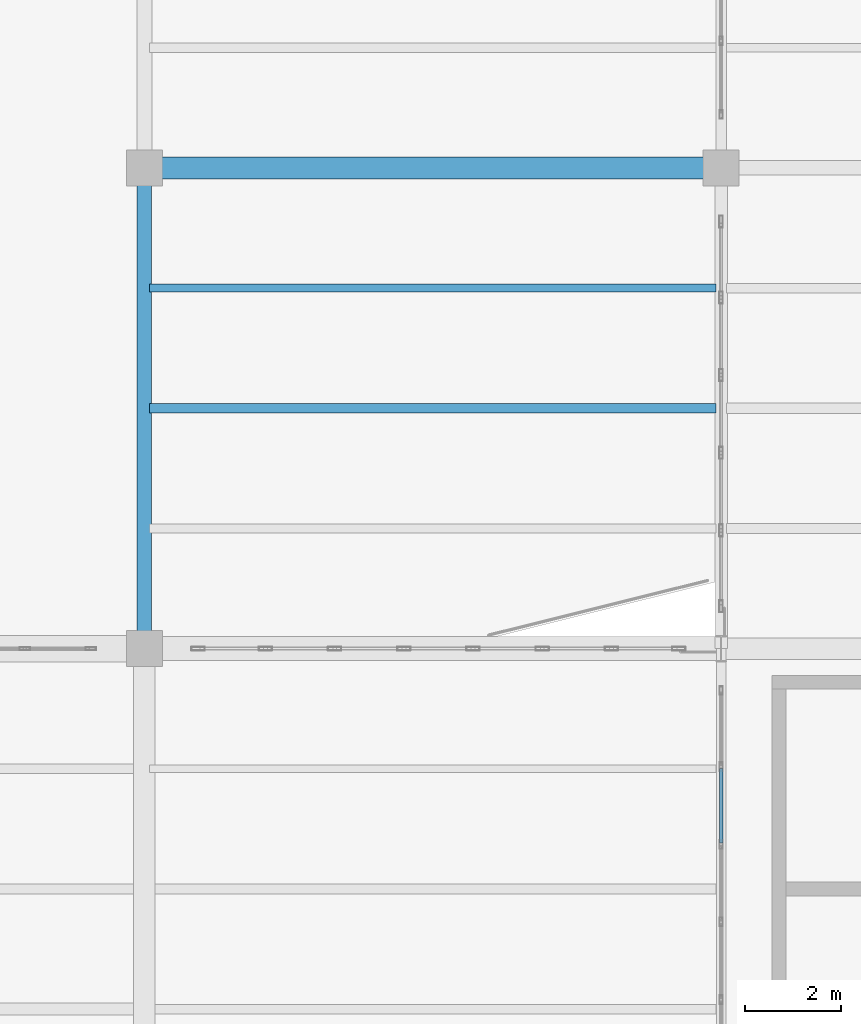
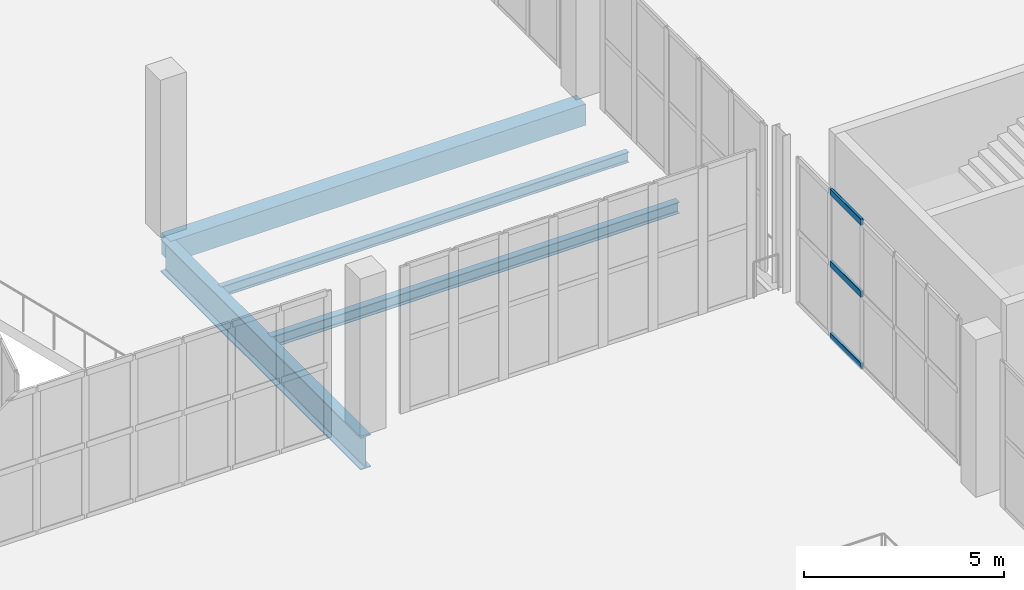
# One storey, part 34 of 136: 4 beams, 3 members, 1 element without a shape of its own.
"""IFC4 building model written with IfcOpenShell, lengths in metres."""

from ifc_helpers import new_model, si_unit, direction, frame, origin, origin_2d, place, context, subcontext, project, spatial, rectangle, hollow_rectangle, i_section, extrude, material, layer, layer_set, material_profile, profile_set, type_object, element, aggregate, save


model = new_model("IFC4")

# Units and contexts
model_context = context("Model", 3, precision=1e-05, world=origin(), true_north=direction((0.0, 1.0)))
body_context = subcontext(model_context, "Body", "Model", "MODEL_VIEW")
ifc_project = project(units=[si_unit("LENGTHUNIT", "METRE"), si_unit("AREAUNIT", "SQUARE_METRE"), si_unit("VOLUMEUNIT", "CUBIC_METRE"), si_unit("PLANEANGLEUNIT", "RADIAN"), si_unit("MASSUNIT", "GRAM", prefix="KILO")], contexts=[model_context])

# Site, building, storey
site_placement = place(None, origin())
site = spatial("IfcSite", under=ifc_project, at=site_placement, CompositionType="ELEMENT")
building_placement = place(site_placement, origin())
building = spatial("IfcBuilding", under=site, at=building_placement, Name="Brinegate Civic Arena", CompositionType="ELEMENT")
storey_placement = place(building_placement, frame((0.0, 0.0, 5.39990234375)))
storey = spatial("IfcBuildingStorey", under=building, at=storey_placement, Name="L01", CompositionType="ELEMENT", Elevation=5.39990234375)

# Curtain wall, members
ifc_material_1 = material(Name="Marine grade aluminium", Category="aluminium")
ifc_layer = layer(ifc_material_1, 0.199951171875, Name="Marine grade aluminium")
ifc_layer_set = layer_set([ifc_layer], Name="Marine grade aluminium")
curtain_wall_type = type_object("IfcCurtainWallType", Name="CW-BOWL-GLAZED-01", PredefinedType="USERDEFINED", material=ifc_layer_set)
curtain_wall_placement = place(storey_placement, origin())
curtain_wall = element("IfcCurtainWall", 1, at=curtain_wall_placement, inside=storey, type_object=curtain_wall_type, Name="Curtain Wall CWA-050", ObjectType="GLAZED CURTAIN WALL", PredefinedType="USERDEFINED")
ifc_material_profile_1 = material_profile(ifc_material_1, hollow_rectangle(XDim=0.074951171875, YDim=0.18994140625, WallThickness=0.006103515625, InnerFilletRadius=0.00390625, OuterFilletRadius=0.008056640625, at=origin_2d()), Name="TRN75X190")
ifc_profile_set_1 = profile_set([ifc_material_profile_1], Name="Marine grade aluminium")
member_type = type_object("IfcMemberType", Name="CW-TRANSOM-75X190", PredefinedType="USERDEFINED", material=ifc_profile_set_1)
member_1_placement = place(storey_placement, frame((48.0, 47.959228515625, 0.03759765625), z_axis=(0.0, 1.0, 0.0), x_axis=(-1.0, 0.0, 0.0)))
member_1 = element("IfcMember", 2, at=member_1_placement, type_object=member_type, Name="CWA-050 transom 4.1", ObjectType="TRANSOM", PredefinedType="USERDEFINED", context=body_context, shape_type="SweptSolid", body=[
    extrude(hollow_rectangle(XDim=0.074951171875, YDim=0.18994140625, WallThickness=0.006103515625, InnerFilletRadius=0.00390625, OuterFilletRadius=0.008056640625, at=origin_2d()), origin(), (0.0, 0.0, 1.0), 1.55078125),
])
member_2_placement = place(storey_placement, frame((48.0, 47.959228515625, 2.235107421875), z_axis=(0.0, 1.0, 0.0), x_axis=(-1.0, 0.0, 0.0)))
member_2 = element("IfcMember", 3, at=member_2_placement, type_object=member_type, Name="CWA-050 transom 4.2", ObjectType="TRANSOM", PredefinedType="USERDEFINED", context=body_context, shape_type="SweptSolid", body=[
    extrude(hollow_rectangle(XDim=0.074951171875, YDim=0.18994140625, WallThickness=0.006103515625, InnerFilletRadius=0.00390625, OuterFilletRadius=0.008056640625, at=origin_2d()), origin(), (0.0, 0.0, 1.0), 1.55078125),
])
member_3_placement = place(storey_placement, frame((48.0, 47.959228515625, 4.4326171875), z_axis=(0.0, 1.0, 0.0), x_axis=(-1.0, 0.0, 0.0)))
member_3 = element("IfcMember", 4, at=member_3_placement, type_object=member_type, Name="CWA-050 transom 4.3", ObjectType="TRANSOM", PredefinedType="USERDEFINED", context=body_context, shape_type="SweptSolid", body=[
    extrude(hollow_rectangle(XDim=0.074951171875, YDim=0.18994140625, WallThickness=0.006103515625, InnerFilletRadius=0.00390625, OuterFilletRadius=0.008056640625, at=origin_2d()), origin(), (0.0, 0.0, 1.0), 1.55078125),
])
aggregate(curtain_wall, [member_1, member_2, member_3])

# Beams
ifc_material_2 = material(Name="Steel S355", Category="steel")
ifc_material_profile_2 = material_profile(ifc_material_2, i_section(OverallWidth=0.300048828125, OverallDepth=1.0, WebThickness=0.01904296875, FlangeThickness=0.031982421875, FilletRadius=0.02392578125, at=origin_2d()), Name="W1000X321")
ifc_profile_set_2 = profile_set([ifc_material_profile_2], Name="Steel S355")
beam_type_1 = type_object("IfcBeamType", Name="GIRDER-W1000X321", PredefinedType="BEAM", material=ifc_profile_set_2)
beam_1_placement = place(storey_placement, frame((36.0, 52.0, -0.83984375), z_axis=(0.0, 1.0, 0.0), x_axis=(-1.0, 0.0, 0.0)))
element("IfcBeam", 5, at=beam_1_placement, inside=storey, type_object=beam_type_1, Name="Floor Girder BM-L01-GY-03-05", PredefinedType="BEAM", context=body_context, shape_type="SweptSolid", body=[
    extrude(i_section(OverallWidth=0.300048828125, OverallDepth=1.0, WebThickness=0.01904296875, FlangeThickness=0.031982421875, FilletRadius=0.02392578125, at=origin_2d()), origin(), (0.0, 0.0, 1.0), 10.0),
])
ifc_material_profile_3 = material_profile(ifc_material_2, i_section(OverallWidth=0.1669921875, OverallDepth=0.31689453125, WebThickness=0.008056640625, FlangeThickness=0.012939453125, FilletRadius=0.012939453125, at=origin_2d()), Name="W310X52")
ifc_profile_set_3 = profile_set([ifc_material_profile_3], Name="Steel S355")
beam_type_2 = type_object("IfcBeamType", Name="JOIST-W310X52", PredefinedType="JOIST", material=ifc_profile_set_3)
beam_2_placement = place(storey_placement, frame((36.10595703125, 59.5, -0.497802734375), z_axis=(1.0, 0.0, 0.0), x_axis=(0.0, 1.0, 0.0)))
element("IfcBeam", 6, at=beam_2_placement, inside=storey, type_object=beam_type_2, Name="Secondary Joist BM-L01-JX-03-05-3", PredefinedType="JOIST", context=body_context, shape_type="SweptSolid", body=[
    extrude(i_section(OverallWidth=0.1669921875, OverallDepth=0.31689453125, WebThickness=0.008056640625, FlangeThickness=0.012939453125, FilletRadius=0.012939453125, at=origin_2d()), origin(), (0.0, 0.0, 1.0), 11.7880859375),
])
ifc_material_profile_4 = material_profile(ifc_material_2, i_section(OverallWidth=0.202880859375, OverallDepth=0.346923828125, WebThickness=0.008056640625, FlangeThickness=0.013916015625, FilletRadius=0.013916015625, at=origin_2d()), Name="W360X64")
ifc_profile_set_4 = profile_set([ifc_material_profile_4], Name="Steel S355")
beam_type_3 = type_object("IfcBeamType", Name="JOIST-W360X64", PredefinedType="JOIST", material=ifc_profile_set_4)
beam_3_placement = place(storey_placement, frame((36.10595703125, 57.0, -0.512939453125), z_axis=(1.0, 0.0, 0.0), x_axis=(0.0, 1.0, 0.0)))
element("IfcBeam", 7, at=beam_3_placement, inside=storey, type_object=beam_type_3, Name="Secondary Joist BM-L01-JX-03-05-2", PredefinedType="JOIST", context=body_context, shape_type="SweptSolid", body=[
    extrude(i_section(OverallWidth=0.202880859375, OverallDepth=0.346923828125, WebThickness=0.008056640625, FlangeThickness=0.013916015625, FilletRadius=0.013916015625, at=origin_2d()), origin(), (0.0, 0.0, 1.0), 11.7880859375),
])
ifc_material_3 = material(Name="Concrete C50/60", Category="concrete")
ifc_material_profile_5 = material_profile(ifc_material_3, rectangle(XDim=0.449951171875, YDim=0.64990234375, at=origin_2d()), Name="RCB450X650")
ifc_profile_set_5 = profile_set([ifc_material_profile_5], Name="Concrete C50/60")
beam_type_4 = type_object("IfcBeamType", Name="RCG-450X650", PredefinedType="BEAM", material=ifc_profile_set_5)
beam_4_placement = place(storey_placement, frame((36.0, 62.0, -0.664794921875), z_axis=(1.0, 0.0, 0.0), x_axis=(0.0, 1.0, 0.0)))
element("IfcBeam", 8, at=beam_4_placement, inside=storey, type_object=beam_type_4, Name="Floor Girder BM-L01-GX-03-06", PredefinedType="BEAM", context=body_context, shape_type="SweptSolid", body=[
    extrude(rectangle(XDim=0.449951171875, YDim=0.64990234375, at=origin_2d()), origin(), (0.0, 0.0, 1.0), 12.0),
])

save(model, "model.ifc")
